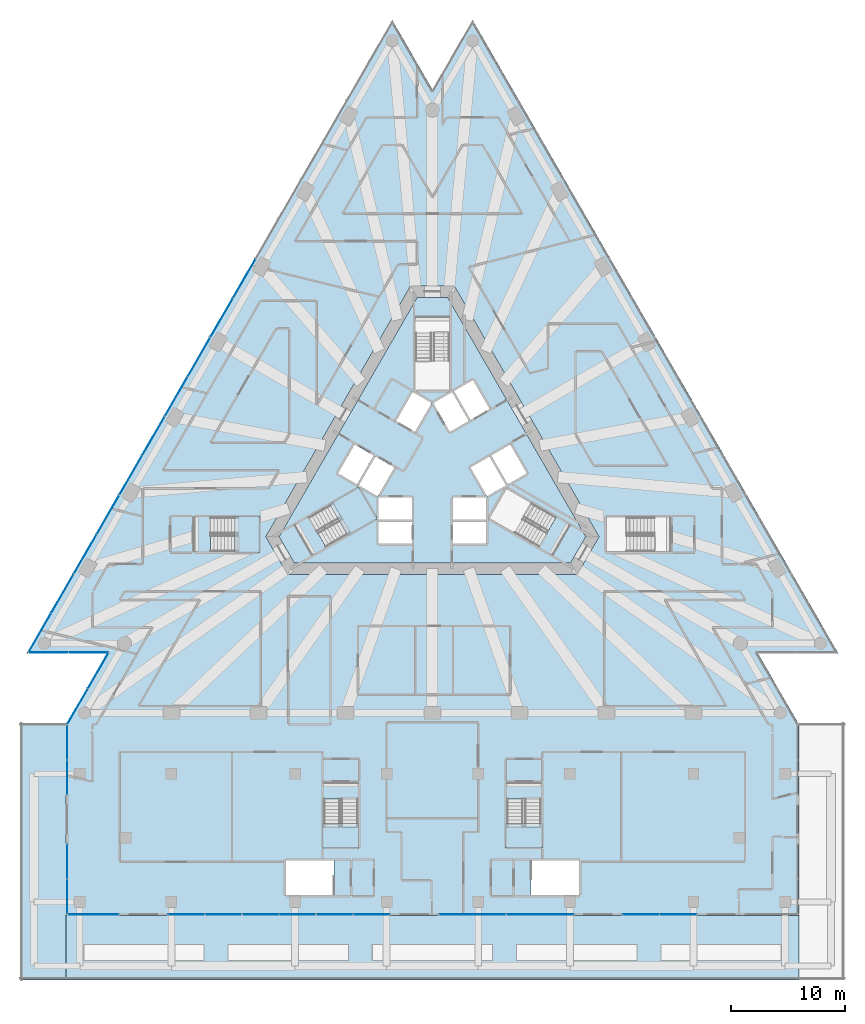
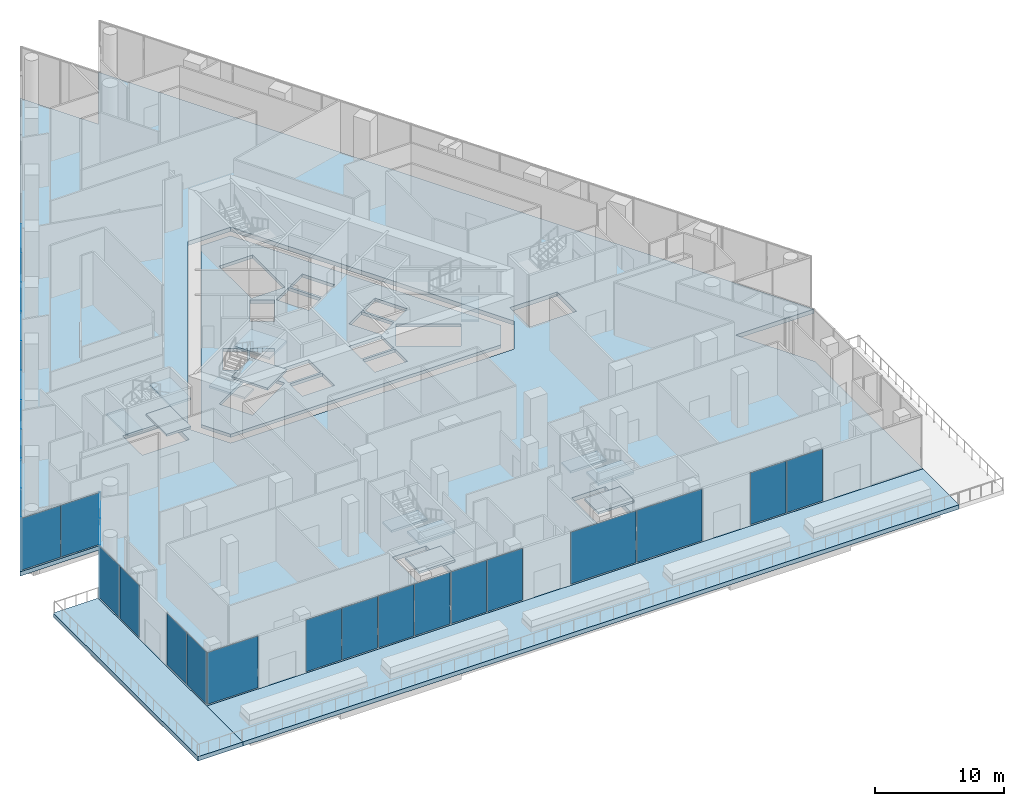
# One storey, part 19 of 32: 29 plates, 17 slabs, 21 elements without a shape of their own.
"""IFC4 building model written with IfcOpenShell, lengths in metres."""

from ifc_helpers import new_model, si_unit, direction, frame, origin, origin_2d, place, context, subcontext, project, spatial, polyline, rectangle, outline, extrude, material, layer, layer_set, layer_usage, type_object, element, aggregate, save


model = new_model("IFC4")

# Units and contexts
model_context = context("Model", 3, precision=1e-05, world=origin(), true_north=direction((0.0, 1.0)))
body_context = subcontext(model_context, "Body", "Model", "MODEL_VIEW")
ifc_project = project(units=[si_unit("LENGTHUNIT", "METRE"), si_unit("AREAUNIT", "SQUARE_METRE"), si_unit("VOLUMEUNIT", "CUBIC_METRE"), si_unit("PLANEANGLEUNIT", "RADIAN"), si_unit("MASSUNIT", "GRAM", prefix="KILO")], contexts=[model_context])

# Site, building, storey
site_placement = place(None, origin())
site = spatial("IfcSite", under=ifc_project, at=site_placement, CompositionType="ELEMENT")
building_placement = place(site_placement, origin())
building = spatial("IfcBuilding", under=site, at=building_placement, Name="Triada Interchange Tower", CompositionType="ELEMENT")
storey_placement = place(building_placement, frame((0.0, 0.0, 14.5)))
storey = spatial("IfcBuildingStorey", under=building, at=storey_placement, Name="L02", CompositionType="ELEMENT", Elevation=14.5)

# Slab
ifc_material_1 = material(Name="Concrete C50/60", Category="concrete")
ifc_layer_1 = layer(ifc_material_1, 0.300048828125)
ifc_layer_set_1 = layer_set([ifc_layer_1], Name="Floor slab 300")
slab_type_1 = type_object("IfcSlabType", Name="Floor slab 300", PredefinedType="FLOOR", material=ifc_layer_set_1)
slab_1_placement = place(storey_placement, frame((0.0, 0.0, -0.300048828125)))
element("IfcSlab", 1, at=slab_1_placement, inside=storey, type_object=slab_type_1, Name="Core floor slab L02 1", PredefinedType="FLOOR", context=body_context, shape_type="SweptSolid", body=[
    extrude(outline(polyline([(13.39501953125, -6.199951171875), (12.06689453125, -8.5), (-12.06689453125, -8.5), (-13.39501953125, -6.199951171875), (-1.327880859375, 14.699951171875), (1.327880859375, 14.699951171875), (13.39501953125, -6.199951171875)]), holes=[polyline([(9.2958984375, -7.09912109375), (10.7958984375, -4.5009765625), (6.466064453125, -2.0009765625), (4.966064453125, -4.59912109375), (9.2958984375, -7.09912109375)]), polyline([(6.7890625, 1.841064453125), (5.14404296875, 0.89111328125), (6.593994140625, -1.6201171875), (8.239013671875, -0.669921875), (6.7890625, 1.841064453125)]), polyline([(4.969970703125, 0.791015625), (3.324951171875, -0.158935546875), (4.77490234375, -2.669921875), (6.419921875, -1.719970703125), (4.969970703125, 0.791015625)]), polyline([(1.89404296875, 6.52001953125), (3.343994140625, 4.009033203125), (4.989013671875, 4.958984375), (3.5390625, 7.469970703125), (1.89404296875, 6.52001953125)]), polyline([(1.800048828125, -4.89990234375), (1.800048828125, -6.800048828125), (4.699951171875, -6.800048828125), (4.699951171875, -4.89990234375), (1.800048828125, -4.89990234375)]), polyline([(1.800048828125, -2.800048828125), (1.800048828125, -4.10107421875), (1.800048828125, -4.699951171875), (4.699951171875, -4.699951171875), (4.699951171875, -2.800048828125), (1.800048828125, -2.800048828125)]), polyline([(1.52490234375, 2.958984375), (1.708984375, 3.06494140625), (3.169921875, 3.908935546875), (1.719970703125, 6.419921875), (0.074951171875, 5.469970703125), (1.52490234375, 2.958984375)]), polyline([(1.5, 11.60009765625), (-1.5, 11.60009765625), (-1.5, 6.60009765625), (1.5, 6.60009765625), (1.5, 11.60009765625)]), polyline([(-1.52490234375, 2.958984375), (-0.074951171875, 5.469970703125), (-1.719970703125, 6.419921875), (-3.169921875, 3.908935546875), (-1.52490234375, 2.958984375)]), polyline([(-4.699951171875, -2.800048828125), (-4.699951171875, -4.699951171875), (-1.800048828125, -4.699951171875), (-1.800048828125, -4.10107421875), (-1.800048828125, -2.800048828125), (-4.699951171875, -2.800048828125)]), polyline([(-4.699951171875, -4.89990234375), (-4.699951171875, -6.800048828125), (-1.800048828125, -6.800048828125), (-1.800048828125, -4.89990234375), (-4.699951171875, -4.89990234375)]), polyline([(-3.324951171875, -0.158935546875), (-3.450927734375, -0.0859375), (-4.969970703125, 0.791015625), (-6.419921875, -1.719970703125), (-4.77490234375, -2.669921875), (-3.324951171875, -0.158935546875)]), polyline([(-10.7958984375, -4.5009765625), (-9.2958984375, -7.09912109375), (-4.966064453125, -4.59912109375), (-6.466064453125, -2.0009765625), (-10.7958984375, -4.5009765625)]), polyline([(-6.593994140625, -1.6201171875), (-5.14404296875, 0.89111328125), (-6.7890625, 1.841064453125), (-8.239013671875, -0.669921875), (-6.593994140625, -1.6201171875)])]), origin(), (0.0, 0.0, 1.0), 0.300048828125),
])

# Curtain wall, plate
ifc_material_2 = material(Name="Aluminium framed glazing", Category="aluminium")
ifc_layer_2 = layer(ifc_material_2, 0.199951171875)
ifc_layer_set_2 = layer_set([ifc_layer_2], Name="Curtain wall Retail shopfront")
curtain_wall_type = type_object("IfcCurtainWallType", Name="Curtain wall Retail shopfront", PredefinedType="NOTDEFINED", material=ifc_layer_set_2)
curtain_wall_1_placement = place(storey_placement, origin())
curtain_wall_1 = element("IfcCurtainWall", 2, at=curtain_wall_1_placement, inside=storey, type_object=curtain_wall_type, Name="Retail shopfront CW001 L02", PredefinedType="NOTDEFINED")
ifc_material_3 = material(Name="Insulated glazing unit", Category="glass")
ifc_layer_3 = layer(ifc_material_3, 0.028076171875)
ifc_layer_set_3 = layer_set([ifc_layer_3], Name="Glazing panel Retail shopfront 28")
plate_type = type_object("IfcPlateType", Name="Glazing panel Retail shopfront 28", PredefinedType="CURTAIN_PANEL", material=ifc_layer_set_3)
plate_1_placement = place(storey_placement, frame((-29.612548828125, -39.199951171875, 0.050048828125), z_axis=(0.0, 0.0, 1.0), x_axis=(1.0, 0.0, 0.0)))
plate_1 = element("IfcPlate", 3, at=plate_1_placement, type_object=plate_type, Name="CW001 panel 1.1", PredefinedType="CURTAIN_PANEL", context=body_context, shape_type="SweptSolid", body=[
    extrude(rectangle(XDim=4.47509765625, YDim=0.028076171875, at=origin_2d()), origin(), (0.0, 0.0, 1.0), 4.89990234375),
])
aggregate(curtain_wall_1, [plate_1])

# Curtain wall, plates
curtain_wall_2_placement = place(storey_placement, origin())
curtain_wall_2 = element("IfcCurtainWall", 4, at=curtain_wall_2_placement, inside=storey, type_object=curtain_wall_type, Name="Retail shopfront CW002 L02", PredefinedType="NOTDEFINED")
plate_2_placement = place(storey_placement, frame((-21.492919921875, -39.199951171875, 0.050048828125), z_axis=(0.0, 0.0, 1.0), x_axis=(1.0, 0.0, 0.0)))
plate_2 = element("IfcPlate", 5, at=plate_2_placement, type_object=plate_type, Name="CW002 panel 1.1", PredefinedType="CURTAIN_PANEL", context=body_context, shape_type="SweptSolid", body=[
    extrude(rectangle(XDim=3.1640625, YDim=0.028076171875, at=origin_2d()), origin(), (0.0, 0.0, 1.0), 4.89990234375),
])
plate_3_placement = place(storey_placement, frame((-18.279052734375, -39.199951171875, 0.050048828125), z_axis=(0.0, 0.0, 1.0), x_axis=(1.0, 0.0, 0.0)))
plate_3 = element("IfcPlate", 6, at=plate_3_placement, type_object=plate_type, Name="CW002 panel 2.1", PredefinedType="CURTAIN_PANEL", context=body_context, shape_type="SweptSolid", body=[
    extrude(rectangle(XDim=3.1640625, YDim=0.028076171875, at=origin_2d()), origin(), (0.0, 0.0, 1.0), 4.89990234375),
])
aggregate(curtain_wall_2, [plate_2, plate_3])

curtain_wall_3_placement = place(storey_placement, origin())
curtain_wall_3 = element("IfcCurtainWall", 7, at=curtain_wall_3_placement, inside=storey, type_object=curtain_wall_type, Name="Retail shopfront CW003 L02", PredefinedType="NOTDEFINED")
plate_4_placement = place(storey_placement, frame((-15.006103515625, -39.199951171875, 0.050048828125), z_axis=(0.0, 0.0, 1.0), x_axis=(1.0, 0.0, 0.0)))
plate_4 = element("IfcPlate", 8, at=plate_4_placement, type_object=plate_type, Name="CW003 panel 1.1", PredefinedType="CURTAIN_PANEL", context=body_context, shape_type="SweptSolid", body=[
    extrude(rectangle(XDim=3.162109375, YDim=0.028076171875, at=origin_2d()), origin(), (0.0, 0.0, 1.0), 4.89990234375),
])
plate_5_placement = place(storey_placement, frame((-11.7939453125, -39.199951171875, 0.050048828125), z_axis=(0.0, 0.0, 1.0), x_axis=(1.0, 0.0, 0.0)))
plate_5 = element("IfcPlate", 9, at=plate_5_placement, type_object=plate_type, Name="CW003 panel 2.1", PredefinedType="CURTAIN_PANEL", context=body_context, shape_type="SweptSolid", body=[
    extrude(rectangle(XDim=3.162109375, YDim=0.028076171875, at=origin_2d()), origin(), (0.0, 0.0, 1.0), 4.89990234375),
])
aggregate(curtain_wall_3, [plate_4, plate_5])

curtain_wall_4_placement = place(storey_placement, origin())
curtain_wall_4 = element("IfcCurtainWall", 10, at=curtain_wall_4_placement, inside=storey, type_object=curtain_wall_type, Name="Retail shopfront CW004 L02", PredefinedType="NOTDEFINED")
plate_6_placement = place(storey_placement, frame((-8.52099609375, -39.199951171875, 0.050048828125), z_axis=(0.0, 0.0, 1.0), x_axis=(1.0, 0.0, 0.0)))
plate_6 = element("IfcPlate", 11, at=plate_6_placement, type_object=plate_type, Name="CW004 panel 1.1", PredefinedType="CURTAIN_PANEL", context=body_context, shape_type="SweptSolid", body=[
    extrude(rectangle(XDim=3.1640625, YDim=0.028076171875, at=origin_2d()), origin(), (0.0, 0.0, 1.0), 4.89990234375),
])
plate_7_placement = place(storey_placement, frame((-5.306884765625, -39.199951171875, 0.050048828125), z_axis=(0.0, 0.0, 1.0), x_axis=(1.0, 0.0, 0.0)))
plate_7 = element("IfcPlate", 12, at=plate_7_placement, type_object=plate_type, Name="CW004 panel 2.1", PredefinedType="CURTAIN_PANEL", context=body_context, shape_type="SweptSolid", body=[
    extrude(rectangle(XDim=3.1640625, YDim=0.028076171875, at=origin_2d()), origin(), (0.0, 0.0, 1.0), 4.89990234375),
])
aggregate(curtain_wall_4, [plate_6, plate_7])

# Curtain wall, plate
curtain_wall_5_placement = place(storey_placement, origin())
curtain_wall_5 = element("IfcCurtainWall", 13, at=curtain_wall_5_placement, inside=storey, type_object=curtain_wall_type, Name="Retail shopfront CW005 L02", PredefinedType="NOTDEFINED")
plate_8_placement = place(storey_placement, frame((3.485107421875, -39.199951171875, 0.050048828125), z_axis=(0.0, 0.0, 1.0), x_axis=(1.0, 0.0, 0.0)))
plate_8 = element("IfcPlate", 14, at=plate_8_placement, type_object=plate_type, Name="CW005 panel 1.1", PredefinedType="CURTAIN_PANEL", context=body_context, shape_type="SweptSolid", body=[
    extrude(rectangle(XDim=5.820068359375, YDim=0.028076171875, at=origin_2d()), origin(), (0.0, 0.0, 1.0), 4.89990234375),
])
aggregate(curtain_wall_5, [plate_8])

curtain_wall_6_placement = place(storey_placement, origin())
curtain_wall_6 = element("IfcCurtainWall", 15, at=curtain_wall_6_placement, inside=storey, type_object=curtain_wall_type, Name="Retail shopfront CW006 L02", PredefinedType="NOTDEFINED")
plate_9_placement = place(storey_placement, frame((9.4150390625, -39.199951171875, 0.050048828125), z_axis=(0.0, 0.0, 1.0), x_axis=(1.0, 0.0, 0.0)))
plate_9 = element("IfcPlate", 16, at=plate_9_placement, type_object=plate_type, Name="CW006 panel 1.1", PredefinedType="CURTAIN_PANEL", context=body_context, shape_type="SweptSolid", body=[
    extrude(rectangle(XDim=5.820068359375, YDim=0.028076171875, at=origin_2d()), origin(), (0.0, 0.0, 1.0), 4.89990234375),
])
aggregate(curtain_wall_6, [plate_9])

# Curtain wall, plates
curtain_wall_7_placement = place(storey_placement, origin())
curtain_wall_7 = element("IfcCurtainWall", 17, at=curtain_wall_7_placement, inside=storey, type_object=curtain_wall_type, Name="Retail shopfront CW007 L02", PredefinedType="NOTDEFINED")
plate_10_placement = place(storey_placement, frame((18.22509765625, -39.199951171875, 0.050048828125), z_axis=(0.0, 0.0, 1.0), x_axis=(1.0, 0.0, 0.0)))
plate_10 = element("IfcPlate", 18, at=plate_10_placement, type_object=plate_type, Name="CW007 panel 1.1", PredefinedType="CURTAIN_PANEL", context=body_context, shape_type="SweptSolid", body=[
    extrude(rectangle(XDim=3.199951171875, YDim=0.028076171875, at=origin_2d()), origin(), (0.0, 0.0, 1.0), 4.89990234375),
])
plate_11_placement = place(storey_placement, frame((21.47509765625, -39.199951171875, 0.050048828125), z_axis=(0.0, 0.0, 1.0), x_axis=(1.0, 0.0, 0.0)))
plate_11 = element("IfcPlate", 19, at=plate_11_placement, type_object=plate_type, Name="CW007 panel 2.1", PredefinedType="CURTAIN_PANEL", context=body_context, shape_type="SweptSolid", body=[
    extrude(rectangle(XDim=3.199951171875, YDim=0.028076171875, at=origin_2d()), origin(), (0.0, 0.0, 1.0), 4.89990234375),
])
aggregate(curtain_wall_7, [plate_10, plate_11])

curtain_wall_8_placement = place(storey_placement, origin())
curtain_wall_8 = element("IfcCurtainWall", 20, at=curtain_wall_8_placement, inside=storey, type_object=curtain_wall_type, Name="Retail shopfront CW026 L02", PredefinedType="NOTDEFINED")
plate_12_placement = place(storey_placement, frame((-16.427001953125, 16.347900390625, 0.050048828125), z_axis=(0.0, 0.0, 1.0), x_axis=(-0.499893351442, -0.866086968603, 0.0)))
plate_12 = element("IfcPlate", 21, at=plate_12_placement, type_object=plate_type, Name="CW026 panel 1.1", PredefinedType="CURTAIN_PANEL", context=body_context, shape_type="SweptSolid", body=[
    extrude(rectangle(XDim=3.892822265625, YDim=0.028076171875, at=origin_2d()), origin(), (0.0, 0.0, 1.0), 4.89990234375),
])
plate_13_placement = place(storey_placement, frame((-18.39794921875, 12.93310546875, 0.050048828125), z_axis=(0.0, 0.0, 1.0), x_axis=(-0.499893351442, -0.866086968603, 0.0)))
plate_13 = element("IfcPlate", 22, at=plate_13_placement, type_object=plate_type, Name="CW026 panel 2.1", PredefinedType="CURTAIN_PANEL", context=body_context, shape_type="SweptSolid", body=[
    extrude(rectangle(XDim=3.892822265625, YDim=0.028076171875, at=origin_2d()), origin(), (0.0, 0.0, 1.0), 4.89990234375),
])
aggregate(curtain_wall_8, [plate_12, plate_13])

curtain_wall_9_placement = place(storey_placement, origin())
curtain_wall_9 = element("IfcCurtainWall", 23, at=curtain_wall_9_placement, inside=storey, type_object=curtain_wall_type, Name="Retail shopfront CW027 L02", PredefinedType="NOTDEFINED")
plate_14_placement = place(storey_placement, frame((-20.39990234375, 9.467041015625, 0.050048828125), z_axis=(0.0, 0.0, 1.0), x_axis=(-0.499893351442, -0.866086968603, 0.0)))
plate_14 = element("IfcPlate", 24, at=plate_14_placement, type_object=plate_type, Name="CW027 panel 1.1", PredefinedType="CURTAIN_PANEL", context=body_context, shape_type="SweptSolid", body=[
    extrude(rectangle(XDim=3.892822265625, YDim=0.028076171875, at=origin_2d()), origin(), (0.0, 0.0, 1.0), 4.89990234375),
])
plate_15_placement = place(storey_placement, frame((-22.37109375, 6.052001953125, 0.050048828125), z_axis=(0.0, 0.0, 1.0), x_axis=(-0.499893351442, -0.866086968603, 0.0)))
plate_15 = element("IfcPlate", 25, at=plate_15_placement, type_object=plate_type, Name="CW027 panel 2.1", PredefinedType="CURTAIN_PANEL", context=body_context, shape_type="SweptSolid", body=[
    extrude(rectangle(XDim=3.892822265625, YDim=0.028076171875, at=origin_2d()), origin(), (0.0, 0.0, 1.0), 4.89990234375),
])
aggregate(curtain_wall_9, [plate_14, plate_15])

curtain_wall_10_placement = place(storey_placement, origin())
curtain_wall_10 = element("IfcCurtainWall", 26, at=curtain_wall_10_placement, inside=storey, type_object=curtain_wall_type, Name="Retail shopfront CW028 L02", PredefinedType="NOTDEFINED")
plate_16_placement = place(storey_placement, frame((-24.373046875, 2.585205078125, 0.050048828125), z_axis=(0.0, 0.0, 1.0), x_axis=(-0.499947913852, -0.866055473648, 0.0)))
plate_16 = element("IfcPlate", 27, at=plate_16_placement, type_object=plate_type, Name="CW028 panel 1.1", PredefinedType="CURTAIN_PANEL", context=body_context, shape_type="SweptSolid", body=[
    extrude(rectangle(XDim=3.892333984375, YDim=0.028076171875, at=origin_2d()), origin(), (0.0, 0.0, 1.0), 4.89990234375),
])
plate_17_placement = place(storey_placement, frame((-26.343994140625, -0.8291015625, 0.050048828125), z_axis=(0.0, 0.0, 1.0), x_axis=(-0.499947913852, -0.866055473648, 0.0)))
plate_17 = element("IfcPlate", 28, at=plate_17_placement, type_object=plate_type, Name="CW028 panel 2.1", PredefinedType="CURTAIN_PANEL", context=body_context, shape_type="SweptSolid", body=[
    extrude(rectangle(XDim=3.892333984375, YDim=0.028076171875, at=origin_2d()), origin(), (0.0, 0.0, 1.0), 4.89990234375),
])
aggregate(curtain_wall_10, [plate_16, plate_17])

curtain_wall_11_placement = place(storey_placement, origin())
curtain_wall_11 = element("IfcCurtainWall", 29, at=curtain_wall_11_placement, inside=storey, type_object=curtain_wall_type, Name="Retail shopfront CW029 L02", PredefinedType="NOTDEFINED")
plate_18_placement = place(storey_placement, frame((-28.345947265625, -4.2958984375, 0.050048828125), z_axis=(0.0, 0.0, 1.0), x_axis=(-0.499947913852, -0.866055473648, 0.0)))
plate_18 = element("IfcPlate", 30, at=plate_18_placement, type_object=plate_type, Name="CW029 panel 1.1", PredefinedType="CURTAIN_PANEL", context=body_context, shape_type="SweptSolid", body=[
    extrude(rectangle(XDim=3.892333984375, YDim=0.028076171875, at=origin_2d()), origin(), (0.0, 0.0, 1.0), 4.89990234375),
])
plate_19_placement = place(storey_placement, frame((-30.31689453125, -7.710205078125, 0.050048828125), z_axis=(0.0, 0.0, 1.0), x_axis=(-0.499947913852, -0.866055473648, 0.0)))
plate_19 = element("IfcPlate", 31, at=plate_19_placement, type_object=plate_type, Name="CW029 panel 2.1", PredefinedType="CURTAIN_PANEL", context=body_context, shape_type="SweptSolid", body=[
    extrude(rectangle(XDim=3.892333984375, YDim=0.028076171875, at=origin_2d()), origin(), (0.0, 0.0, 1.0), 4.89990234375),
])
aggregate(curtain_wall_11, [plate_18, plate_19])

curtain_wall_12_placement = place(storey_placement, origin())
curtain_wall_12 = element("IfcCurtainWall", 32, at=curtain_wall_12_placement, inside=storey, type_object=curtain_wall_type, Name="Retail shopfront CW030 L02", PredefinedType="NOTDEFINED")
plate_20_placement = place(storey_placement, frame((-32.31982421875, -11.177978515625, 0.050048828125), z_axis=(0.0, 0.0, 1.0), x_axis=(-0.499958648825, -0.86604927658, 0.0)))
plate_20 = element("IfcPlate", 33, at=plate_20_placement, type_object=plate_type, Name="CW030 panel 1.1", PredefinedType="CURTAIN_PANEL", context=body_context, shape_type="SweptSolid", body=[
    extrude(rectangle(XDim=3.895263671875, YDim=0.028076171875, at=origin_2d()), origin(), (0.0, 0.0, 1.0), 4.89990234375),
])
plate_21_placement = place(storey_placement, frame((-34.292236328125, -14.594970703125, 0.050048828125), z_axis=(0.0, 0.0, 1.0), x_axis=(-0.499958648825, -0.86604927658, 0.0)))
plate_21 = element("IfcPlate", 34, at=plate_21_placement, type_object=plate_type, Name="CW030 panel 2.1", PredefinedType="CURTAIN_PANEL", context=body_context, shape_type="SweptSolid", body=[
    extrude(rectangle(XDim=3.895263671875, YDim=0.028076171875, at=origin_2d()), origin(), (0.0, 0.0, 1.0), 4.89990234375),
])
aggregate(curtain_wall_12, [plate_20, plate_21])

curtain_wall_13_placement = place(storey_placement, origin())
curtain_wall_13 = element("IfcCurtainWall", 35, at=curtain_wall_13_placement, inside=storey, type_object=curtain_wall_type, Name="Retail shopfront CW031 L02", PredefinedType="NOTDEFINED")
plate_22_placement = place(storey_placement, frame((-33.524658203125, -16.324951171875, 0.050048828125), z_axis=(0.0, 0.0, 1.0), x_axis=(1.0, 0.0, 0.0)))
plate_22 = element("IfcPlate", 36, at=plate_22_placement, type_object=plate_type, Name="CW031 panel 1.1", PredefinedType="CURTAIN_PANEL", context=body_context, shape_type="SweptSolid", body=[
    extrude(rectangle(XDim=3.4326171875, YDim=0.028076171875, at=origin_2d()), origin(), (0.0, 0.0, 1.0), 4.89990234375),
])
plate_23_placement = place(storey_placement, frame((-30.042236328125, -16.324951171875, 0.050048828125), z_axis=(0.0, 0.0, 1.0), x_axis=(1.0, 0.0, 0.0)))
plate_23 = element("IfcPlate", 37, at=plate_23_placement, type_object=plate_type, Name="CW031 panel 2.1", PredefinedType="CURTAIN_PANEL", context=body_context, shape_type="SweptSolid", body=[
    extrude(rectangle(XDim=3.4326171875, YDim=0.028076171875, at=origin_2d()), origin(), (0.0, 0.0, 1.0), 4.89990234375),
])
aggregate(curtain_wall_13, [plate_22, plate_23])

curtain_wall_14_placement = place(storey_placement, origin())
curtain_wall_14 = element("IfcCurtainWall", 38, at=curtain_wall_14_placement, inside=storey, type_object=curtain_wall_type, Name="Retail shopfront CW032 L02", PredefinedType="NOTDEFINED")
plate_24_placement = place(storey_placement, frame((-29.187744140625, -17.904541015625, 0.050048828125), z_axis=(0.0, 0.0, 1.0), x_axis=(-0.499909634761, -0.866077569894, 0.0)))
plate_24 = element("IfcPlate", 39, at=plate_24_placement, type_object=plate_type, Name="CW032 panel 1.1", PredefinedType="CURTAIN_PANEL", context=body_context, shape_type="SweptSolid", body=[
    extrude(rectangle(XDim=3.547607421875, YDim=0.028076171875, at=origin_2d()), origin(), (0.0, 0.0, 1.0), 4.89990234375),
])
plate_25_placement = place(storey_placement, frame((-30.986328125, -21.0205078125, 0.050048828125), z_axis=(0.0, 0.0, 1.0), x_axis=(-0.499909634761, -0.866077569894, 0.0)))
plate_25 = element("IfcPlate", 40, at=plate_25_placement, type_object=plate_type, Name="CW032 panel 2.1", PredefinedType="CURTAIN_PANEL", context=body_context, shape_type="SweptSolid", body=[
    extrude(rectangle(XDim=3.547607421875, YDim=0.028076171875, at=origin_2d()), origin(), (0.0, 0.0, 1.0), 4.89990234375),
])
aggregate(curtain_wall_14, [plate_24, plate_25])

curtain_wall_15_placement = place(storey_placement, origin())
curtain_wall_15 = element("IfcCurtainWall", 41, at=curtain_wall_15_placement, inside=storey, type_object=curtain_wall_type, Name="Retail shopfront CW033 L02", PredefinedType="NOTDEFINED")
plate_26_placement = place(storey_placement, frame((-31.89990234375, -24.16259765625, 0.050048828125), z_axis=(0.0, 0.0, 1.0), x_axis=(0.0, -1.0, 0.0)))
plate_26 = element("IfcPlate", 42, at=plate_26_placement, type_object=plate_type, Name="CW033 panel 1.1", PredefinedType="CURTAIN_PANEL", context=body_context, shape_type="SweptSolid", body=[
    extrude(rectangle(XDim=3.02490234375, YDim=0.028076171875, at=origin_2d()), origin(), (0.0, 0.0, 1.0), 4.89990234375),
])
plate_27_placement = place(storey_placement, frame((-31.89990234375, -27.237548828125, 0.050048828125), z_axis=(0.0, 0.0, 1.0), x_axis=(0.0, -1.0, 0.0)))
plate_27 = element("IfcPlate", 43, at=plate_27_placement, type_object=plate_type, Name="CW033 panel 2.1", PredefinedType="CURTAIN_PANEL", context=body_context, shape_type="SweptSolid", body=[
    extrude(rectangle(XDim=3.02490234375, YDim=0.028076171875, at=origin_2d()), origin(), (0.0, 0.0, 1.0), 4.89990234375),
])
aggregate(curtain_wall_15, [plate_26, plate_27])

curtain_wall_16_placement = place(storey_placement, origin())
curtain_wall_16 = element("IfcCurtainWall", 44, at=curtain_wall_16_placement, inside=storey, type_object=curtain_wall_type, Name="Retail shopfront CW034 L02", PredefinedType="NOTDEFINED")
plate_28_placement = place(storey_placement, frame((-31.89990234375, -34.5625, 0.050048828125), z_axis=(0.0, 0.0, 1.0), x_axis=(0.0, -1.0, 0.0)))
plate_28 = element("IfcPlate", 45, at=plate_28_placement, type_object=plate_type, Name="CW034 panel 1.1", PredefinedType="CURTAIN_PANEL", context=body_context, shape_type="SweptSolid", body=[
    extrude(rectangle(XDim=3.02490234375, YDim=0.028076171875, at=origin_2d()), origin(), (0.0, 0.0, 1.0), 4.89990234375),
])
plate_29_placement = place(storey_placement, frame((-31.89990234375, -37.637451171875, 0.050048828125), z_axis=(0.0, 0.0, 1.0), x_axis=(0.0, -1.0, 0.0)))
plate_29 = element("IfcPlate", 46, at=plate_29_placement, type_object=plate_type, Name="CW034 panel 2.1", PredefinedType="CURTAIN_PANEL", context=body_context, shape_type="SweptSolid", body=[
    extrude(rectangle(XDim=3.02490234375, YDim=0.028076171875, at=origin_2d()), origin(), (0.0, 0.0, 1.0), 4.89990234375),
])
aggregate(curtain_wall_16, [plate_28, plate_29])

# Slab
ifc_material_4 = material(Name="Concrete C40/50", Category="concrete")
ifc_layer_4 = layer(ifc_material_4, 0.39990234375)
ifc_layer_set_4 = layer_set([ifc_layer_4], Name="Podium slab 400")
slab_type_2 = type_object("IfcSlabType", Name="Podium slab 400", PredefinedType="FLOOR", material=ifc_layer_set_4)
slab_2_placement = place(storey_placement, frame((0.0, 0.0, -0.39990234375)))
element("IfcSlab", 47, at=slab_2_placement, inside=storey, type_object=slab_type_2, Name="Floor slab L02", PredefinedType="FLOOR", context=body_context, shape_type="SweptSolid", body=[
    extrude(outline(polyline([(-32.0, -39.300048828125), (32.0, -39.300048828125), (32.0, -22.5), (31.9560546875, -22.5), (28.448974609375, -16.425048828125), (35.464111328125, -16.425048828125), (3.507080078125, 38.925048828125), (0.0, 32.85009765625), (-3.507080078125, 38.925048828125), (-35.464111328125, -16.425048828125), (-28.448974609375, -16.425048828125), (-31.9560546875, -22.5), (-32.0, -22.5), (-32.0, -39.300048828125)]), holes=[polyline([(-8.60009765625, -34.5), (-8.60009765625, -37.5), (-12.800048828125, -37.5), (-12.800048828125, -34.5), (-8.60009765625, -34.5)]), polyline([(8.60009765625, -34.5), (12.800048828125, -34.5), (12.800048828125, -37.5), (8.60009765625, -37.5), (8.60009765625, -34.5)]), polyline([(-6.5, -29.10009765625), (-6.5, -33.300048828125), (-9.5, -33.300048828125), (-9.5, -29.10009765625), (-6.5, -29.10009765625)]), polyline([(9.5, -29.10009765625), (9.5, -33.300048828125), (6.5, -33.300048828125), (6.5, -29.10009765625), (9.5, -29.10009765625)]), polyline([(-19.39990234375, -4.5), (-15.199951171875, -4.5), (-15.199951171875, -7.5), (-19.39990234375, -7.5), (-19.39990234375, -4.5)]), polyline([(19.39990234375, -7.5), (15.199951171875, -7.5), (15.199951171875, -4.5), (19.39990234375, -4.5), (19.39990234375, -7.5)]), polyline([(-12.64404296875, -9.5), (-14.549072265625, -6.199951171875), (-1.905029296875, 15.699951171875), (1.905029296875, 15.699951171875), (14.549072265625, -6.199951171875), (12.64404296875, -9.5), (-12.64404296875, -9.5)])]), origin(), (0.0, 0.0, 1.0), 0.39990234375),
])

# Stair, slabs
ifc_material_5 = material(Name="Concrete C35/45", Category="concrete")
stair_type = type_object("IfcStairType", Name="HALF TURN STAIR 1400", PredefinedType="HALF_TURN_STAIR", material=ifc_material_5)
stair_1_placement = place(storey_placement, origin())
stair_1 = element("IfcStair", 48, at=stair_1_placement, inside=storey, type_object=stair_type, Name="Exit stair S02-2", PredefinedType="HALF_TURN_STAIR")
ifc_layer_5 = layer(ifc_material_5, 0.199951171875)
ifc_layer_set_5 = layer_set([ifc_layer_5], Name="STAIR LANDING 200")
slab_type_3 = type_object("IfcSlabType", Name="STAIR LANDING 200", PredefinedType="LANDING", material=ifc_layer_set_5)
slab_3_placement = place(storey_placement, frame((0.0, 0.0, 1.070556640625)))
slab_3 = element("IfcSlab", 49, at=slab_3_placement, type_object=slab_type_3, Name="S02-2 landing 1", PredefinedType="LANDING", context=body_context, shape_type="SweptSolid", body=[
    extrude(outline(polyline([(-6.428955078125, -1.864013671875), (-8.9970703125, -3.346923828125), (-7.39697265625, -6.117919921875), (-4.8291015625, -4.635986328125), (-6.428955078125, -1.864013671875)])), origin(), (0.0, 0.0, 1.0), 0.199951171875),
])
slab_4_placement = place(storey_placement, frame((0.0, 0.0, 3.7705078125)))
slab_4 = element("IfcSlab", 50, at=slab_4_placement, type_object=slab_type_3, Name="S02-2 landing 2", PredefinedType="LANDING", context=body_context, shape_type="SweptSolid", body=[
    extrude(outline(polyline([(-6.428955078125, -1.864013671875), (-8.73291015625, -3.194091796875), (-7.133056640625, -5.966064453125), (-4.8291015625, -4.635986328125), (-6.428955078125, -1.864013671875)])), origin(), (0.0, 0.0, 1.0), 0.199951171875),
])
slab_5_placement = place(storey_placement, frame((0.0, 0.0, 2.341064453125)))
slab_5 = element("IfcSlab", 51, at=slab_5_placement, type_object=slab_type_3, Name="S02-2 landing 3", PredefinedType="LANDING", context=body_context, shape_type="SweptSolid", body=[
    extrude(outline(polyline([(-10.845947265625, -4.4140625), (-12.05810546875, -5.114013671875), (-10.4580078125, -7.885986328125), (-9.24609375, -7.18603515625), (-10.845947265625, -4.4140625)])), origin(), (0.0, 0.0, 1.0), 0.199951171875),
])
aggregate(stair_1, [slab_3, slab_4, slab_5])

# Stair, slab
stair_2_placement = place(storey_placement, origin())
stair_2 = element("IfcStair", 52, at=stair_2_placement, inside=storey, type_object=stair_type, Name="Exit stair S02-3", PredefinedType="HALF_TURN_STAIR")
slab_6_placement = place(storey_placement, frame((0.0, 0.0, 2.341064453125)))
slab_6 = element("IfcSlab", 53, at=slab_6_placement, type_object=slab_type_3, Name="S02-3 landing 3", PredefinedType="LANDING", context=body_context, shape_type="SweptSolid", body=[
    extrude(outline(polyline([(9.24609375, -7.18603515625), (10.4580078125, -7.885986328125), (12.05810546875, -5.114013671875), (10.845947265625, -4.4140625), (9.24609375, -7.18603515625)])), origin(), (0.0, 0.0, 1.0), 0.199951171875),
])
aggregate(stair_2, [slab_6])

# Stair, slabs
stair_3_placement = place(storey_placement, origin())
stair_3 = element("IfcStair", 54, at=stair_3_placement, inside=storey, type_object=stair_type, Name="Exit stair S02-6", PredefinedType="HALF_TURN_STAIR")
slab_7_placement = place(storey_placement, frame((0.0, 0.0, 1.070556640625)))
slab_7 = element("IfcSlab", 55, at=slab_7_placement, type_object=slab_type_3, Name="S02-6 landing 1", PredefinedType="LANDING", context=body_context, shape_type="SweptSolid", body=[
    extrude(outline(polyline([(-15.10009765625, -4.39990234375), (-17.264892578125, -4.39990234375), (-17.264892578125, -7.60009765625), (-15.10009765625, -7.60009765625), (-15.10009765625, -4.39990234375)])), origin(), (0.0, 0.0, 1.0), 0.199951171875),
])
slab_8_placement = place(storey_placement, frame((0.0, 0.0, 3.7705078125)))
slab_8 = element("IfcSlab", 56, at=slab_8_placement, type_object=slab_type_3, Name="S02-6 landing 2", PredefinedType="LANDING", context=body_context, shape_type="SweptSolid", body=[
    extrude(outline(polyline([(-15.10009765625, -4.39990234375), (-16.9599609375, -4.39990234375), (-16.9599609375, -7.60009765625), (-15.10009765625, -7.60009765625), (-15.10009765625, -4.39990234375)])), origin(), (0.0, 0.0, 1.0), 0.199951171875),
])
slab_9_placement = place(storey_placement, frame((0.0, 0.0, 2.341064453125)))
slab_9 = element("IfcSlab", 57, at=slab_9_placement, type_object=slab_type_3, Name="S02-6 landing 3", PredefinedType="LANDING", context=body_context, shape_type="SweptSolid", body=[
    extrude(outline(polyline([(-19.39990234375, -4.39990234375), (-20.800048828125, -4.39990234375), (-20.800048828125, -7.60009765625), (-19.39990234375, -7.60009765625), (-19.39990234375, -4.39990234375)])), origin(), (0.0, 0.0, 1.0), 0.199951171875),
])
aggregate(stair_3, [slab_7, slab_8, slab_9])

stair_4_placement = place(storey_placement, origin())
stair_4 = element("IfcStair", 58, at=stair_4_placement, inside=storey, type_object=stair_type, Name="Exit stair S02-10", PredefinedType="HALF_TURN_STAIR")
slab_10_placement = place(storey_placement, frame((0.0, 0.0, 1.070556640625)))
slab_10 = element("IfcSlab", 59, at=slab_10_placement, type_object=slab_type_3, Name="S02-10 landing 1", PredefinedType="LANDING", context=body_context, shape_type="SweptSolid", body=[
    extrude(outline(polyline([(9.60009765625, -33.39990234375), (9.60009765625, -31.235107421875), (6.39990234375, -31.235107421875), (6.39990234375, -33.39990234375), (9.60009765625, -33.39990234375)])), origin(), (0.0, 0.0, 1.0), 0.199951171875),
])
slab_11_placement = place(storey_placement, frame((0.0, 0.0, 3.7705078125)))
slab_11 = element("IfcSlab", 60, at=slab_11_placement, type_object=slab_type_3, Name="S02-10 landing 2", PredefinedType="LANDING", context=body_context, shape_type="SweptSolid", body=[
    extrude(outline(polyline([(9.60009765625, -33.39990234375), (9.60009765625, -31.5400390625), (6.39990234375, -31.5400390625), (6.39990234375, -33.39990234375), (9.60009765625, -33.39990234375)])), origin(), (0.0, 0.0, 1.0), 0.199951171875),
])
slab_12_placement = place(storey_placement, frame((0.0, 0.0, 2.341064453125)))
slab_12 = element("IfcSlab", 61, at=slab_12_placement, type_object=slab_type_3, Name="S02-10 landing 3", PredefinedType="LANDING", context=body_context, shape_type="SweptSolid", body=[
    extrude(outline(polyline([(9.60009765625, -29.10009765625), (9.60009765625, -27.699951171875), (6.39990234375, -27.699951171875), (6.39990234375, -29.10009765625), (9.60009765625, -29.10009765625)])), origin(), (0.0, 0.0, 1.0), 0.199951171875),
])
aggregate(stair_4, [slab_10, slab_11, slab_12])

stair_5_placement = place(storey_placement, origin())
stair_5 = element("IfcStair", 62, at=stair_5_placement, inside=storey, type_object=stair_type, Name="Exit stair S02-11", PredefinedType="HALF_TURN_STAIR")
slab_13_placement = place(storey_placement, frame((0.0, 0.0, 1.070556640625)))
slab_13 = element("IfcSlab", 63, at=slab_13_placement, type_object=slab_type_3, Name="S02-11 landing 1", PredefinedType="LANDING", context=body_context, shape_type="SweptSolid", body=[
    extrude(outline(polyline([(-6.39990234375, -33.39990234375), (-6.39990234375, -31.235107421875), (-9.60009765625, -31.235107421875), (-9.60009765625, -33.39990234375), (-6.39990234375, -33.39990234375)])), origin(), (0.0, 0.0, 1.0), 0.199951171875),
])
slab_14_placement = place(storey_placement, frame((0.0, 0.0, 3.7705078125)))
slab_14 = element("IfcSlab", 64, at=slab_14_placement, type_object=slab_type_3, Name="S02-11 landing 2", PredefinedType="LANDING", context=body_context, shape_type="SweptSolid", body=[
    extrude(outline(polyline([(-6.39990234375, -33.39990234375), (-6.39990234375, -31.5400390625), (-9.60009765625, -31.5400390625), (-9.60009765625, -33.39990234375), (-6.39990234375, -33.39990234375)])), origin(), (0.0, 0.0, 1.0), 0.199951171875),
])
slab_15_placement = place(storey_placement, frame((0.0, 0.0, 2.341064453125)))
slab_15 = element("IfcSlab", 65, at=slab_15_placement, type_object=slab_type_3, Name="S02-11 landing 3", PredefinedType="LANDING", context=body_context, shape_type="SweptSolid", body=[
    extrude(outline(polyline([(-6.39990234375, -29.10009765625), (-6.39990234375, -27.699951171875), (-9.60009765625, -27.699951171875), (-9.60009765625, -29.10009765625), (-6.39990234375, -29.10009765625)])), origin(), (0.0, 0.0, 1.0), 0.199951171875),
])
aggregate(stair_5, [slab_13, slab_14, slab_15])

# Slabs
ifc_material_6 = material(Name="Concrete C30/37 paving slab", Category="concrete")
ifc_layer_6 = layer(ifc_material_6, 0.0400390625, Name="Paving slab")
ifc_material_7 = material(Name="Drainage mat")
ifc_layer_7 = layer(ifc_material_7, 0.02490234375, Name="Drainage layer")
ifc_material_8 = material(Name="Bituminous membrane")
ifc_layer_8 = layer(ifc_material_8, 0.0048828125, Name="Waterproof membrane")
ifc_material_9 = material(Name="Mineral wool")
ifc_layer_9 = layer(ifc_material_9, 0.080078125, Name="Thermal insulation")
ifc_material_10 = material(Name="Screed CT-C25-F4")
ifc_layer_10 = layer(ifc_material_10, 0.050048828125, Name="Screed to falls")
ifc_layer_11 = layer(ifc_material_4, 0.199951171875, Name="Reinforced concrete slab")
ifc_layer_set_6 = layer_set([ifc_layer_6, ifc_layer_7, ifc_layer_8, ifc_layer_9, ifc_layer_10, ifc_layer_11], Name="Terrace slab 400")
ifc_layer_usage = layer_usage(ifc_layer_set_6, "AXIS3", "POSITIVE", 0.0)
slab_type_4 = type_object("IfcSlabType", Name="Terrace slab 400", PredefinedType="FLOOR", material=ifc_layer_set_6)
slab_16_placement = place(storey_placement, frame((0.0, 0.0, -0.39990234375)))
element("IfcSlab", 66, at=slab_16_placement, inside=storey, type_object=slab_type_4, material=ifc_layer_usage, Name="Terrace slab L02 1", PredefinedType="FLOOR", context=body_context, shape_type="SweptSolid", body=[
    extrude(outline(polyline([(-36.0, -44.89990234375), (-32.0, -44.89990234375), (-32.0, -22.5), (-36.0, -22.5), (-36.0, -44.89990234375)])), origin(), (0.0, 0.0, 1.0), 0.39990234375),
])
slab_17_placement = place(storey_placement, frame((0.0, 0.0, -0.39990234375)))
element("IfcSlab", 67, at=slab_17_placement, inside=storey, type_object=slab_type_4, material=ifc_layer_usage, Name="Terrace slab L02 3", PredefinedType="FLOOR", context=body_context, shape_type="SweptSolid", body=[
    extrude(outline(polyline([(-32.0, -44.89990234375), (32.0, -44.89990234375), (32.0, -39.300048828125), (-32.0, -39.300048828125), (-32.0, -44.89990234375)])), origin(), (0.0, 0.0, 1.0), 0.39990234375),
])

save(model, "model.ifc")
